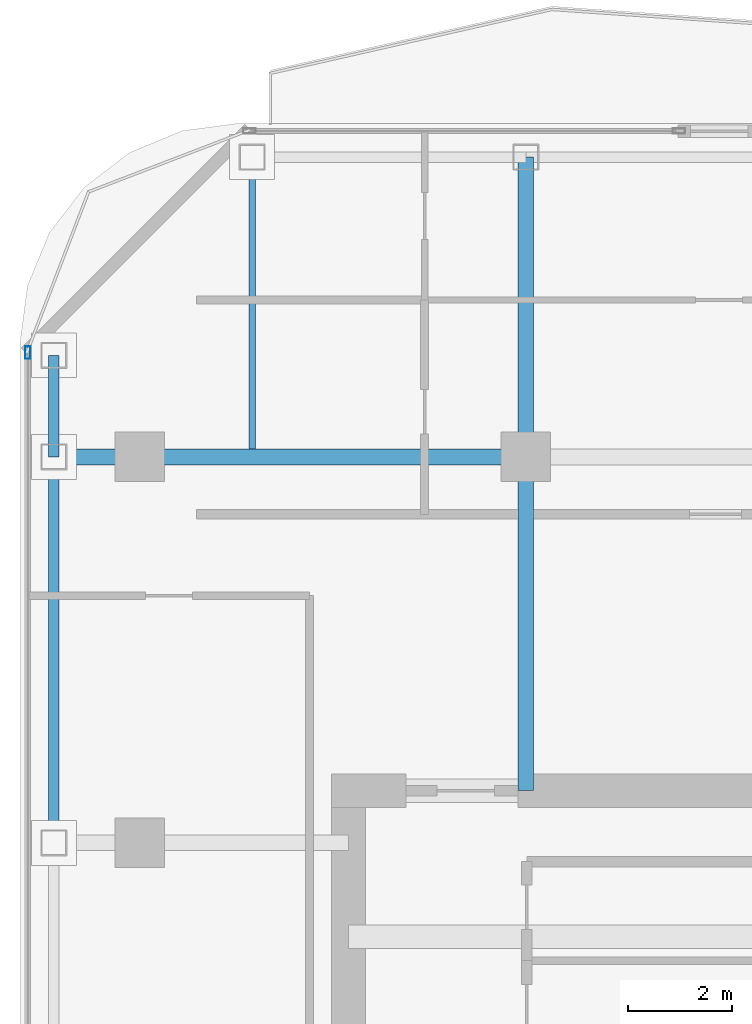
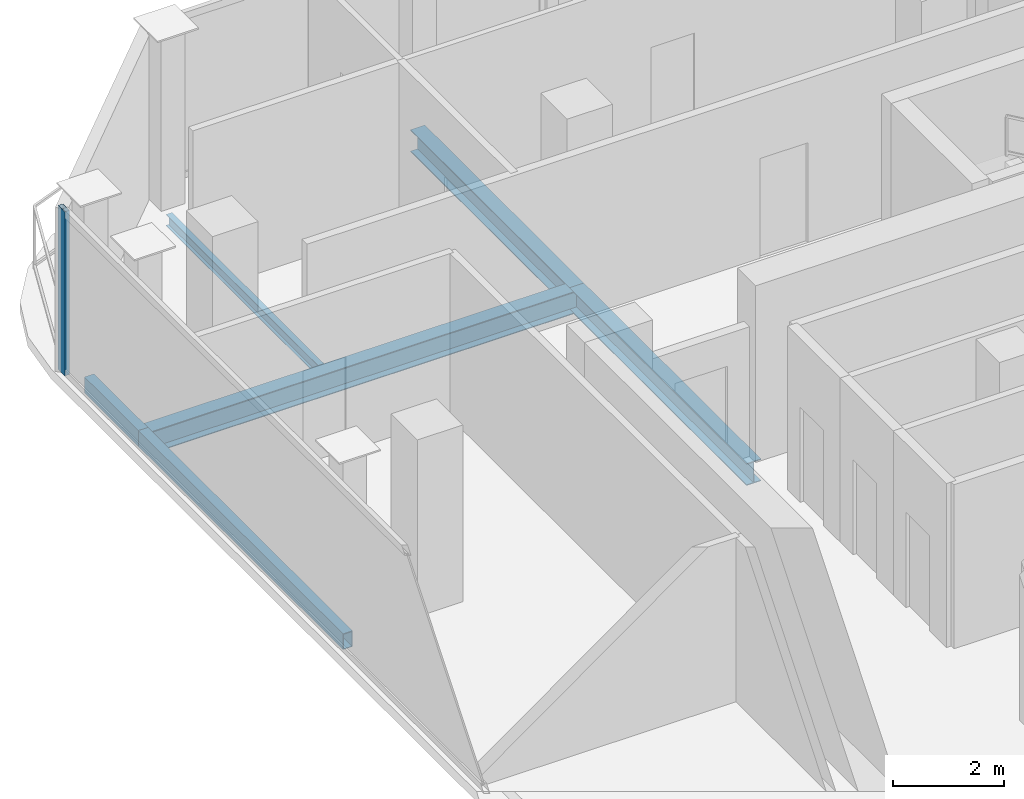
# One storey, part 10 of 22: 6 beams, 1 member, 1 element without a shape of its own.
"""IFC4 building model written with IfcOpenShell, lengths in metres."""

from ifc_helpers import new_model, si_unit, direction, frame, origin, origin_2d, place, context, subcontext, project, spatial, hollow_rectangle, i_section, extrude, material, layer, layer_set, material_profile, profile_set, type_object, element, aggregate, save


model = new_model("IFC4")

# Units and contexts
model_context = context("Model", 3, precision=1e-05, world=origin(), true_north=direction((0.0, 1.0)))
body_context = subcontext(model_context, "Body", "Model", "MODEL_VIEW")
ifc_project = project(units=[si_unit("LENGTHUNIT", "METRE"), si_unit("AREAUNIT", "SQUARE_METRE"), si_unit("VOLUMEUNIT", "CUBIC_METRE"), si_unit("PLANEANGLEUNIT", "RADIAN"), si_unit("MASSUNIT", "GRAM", prefix="KILO")], contexts=[model_context])

# Site, building, storey
site_placement = place(None, origin())
site = spatial("IfcSite", under=ifc_project, at=site_placement, CompositionType="ELEMENT")
building_placement = place(site_placement, origin())
building = spatial("IfcBuilding", under=site, at=building_placement, Name="Khorvyn Point Tower", CompositionType="ELEMENT")
storey_placement = place(building_placement, frame((0.0, 0.0, 282.0)))
storey = spatial("IfcBuildingStorey", under=building, at=storey_placement, Name="L69", CompositionType="ELEMENT", Elevation=282.0)

# Curtain wall, member
ifc_material_1 = material(Name="Anodised aluminium 6063-T6 and laminated Low-E glass", Category="aluminium")
ifc_layer = layer(ifc_material_1, 0.18994140625)
ifc_layer_set = layer_set([ifc_layer], Name="Stick-Built High-Wind Curtain Wall CW-SYS-04")
curtain_wall_type = type_object("IfcCurtainWallType", Name="Stick-Built High-Wind Curtain Wall CW-SYS-04", PredefinedType="NOTDEFINED", material=ifc_layer_set)
curtain_wall_placement = place(storey_placement, origin())
curtain_wall = element("IfcCurtainWall", 1, at=curtain_wall_placement, inside=storey, type_object=curtain_wall_type, Name="Curtain Wall", PredefinedType="NOTDEFINED")
ifc_material_2 = material(Name="Anodised aluminium 6063-T6", Category="aluminium")
ifc_material_profile_1 = material_profile(ifc_material_2, hollow_rectangle(XDim=0.10009765625, YDim=0.239990234375, WallThickness=0.0048828125, at=origin_2d()))
ifc_profile_set_1 = profile_set([ifc_material_profile_1], Name="Anodised aluminium 6063-T6 ALU-MUL-100x240")
member_type = type_object("IfcMemberType", Name="Anodised Aluminium 6063-T6 Mullion ALU-MUL-100x240", PredefinedType="MULLION", material=ifc_profile_set_1)
member_placement = place(storey_placement, frame((-16.949951171875, 16.800048828125, 0.0), z_axis=(0.0, 0.0, 1.0), x_axis=(-1.0, 0.0, 0.0)))
member = element("IfcMember", 2, at=member_placement, type_object=member_type, Name="Transom", PredefinedType="MULLION", context=body_context, shape_type="SweptSolid", body=[
    extrude(hollow_rectangle(XDim=0.10009765625, YDim=0.239990234375, WallThickness=0.0048828125, at=origin_2d()), origin(), (0.0, 0.0, 1.0), 3.6201171875),
])
aggregate(curtain_wall, [member])

# Beams
ifc_material_3 = material(Name="Steel S355", Category="steel")
ifc_material_profile_2 = material_profile(ifc_material_3, i_section(OverallWidth=0.125, OverallDepth=0.25, WebThickness=0.006103515625, FlangeThickness=0.009033203125, at=origin_2d()))
ifc_profile_set_2 = profile_set([ifc_material_profile_2], Name="Steel S355 H250x125x6x9")
beam_type_1 = type_object("IfcBeamType", Name="Steel S355 Joist H250x125x6x9", PredefinedType="JOIST", material=ifc_profile_set_2)
beam_1_placement = place(storey_placement, frame((-12.64990234375, 14.949951171875, -0.344970703125), z_axis=(0.0, 1.0, 0.0), x_axis=(-1.0, 0.0, 0.0)))
element("IfcBeam", 3, at=beam_1_placement, inside=storey, type_object=beam_type_1, Name="Beam", PredefinedType="JOIST", context=body_context, shape_type="SweptSolid", body=[
    extrude(i_section(OverallWidth=0.125, OverallDepth=0.25, WebThickness=0.006103515625, FlangeThickness=0.009033203125, at=origin_2d()), origin(), (0.0, 0.0, 1.0), 5.5),
])
ifc_material_profile_3 = material_profile(ifc_material_3, i_section(OverallWidth=0.300048828125, OverallDepth=0.488037109375, WebThickness=0.010986328125, FlangeThickness=0.01806640625, at=origin_2d()))
ifc_profile_set_3 = profile_set([ifc_material_profile_3], Name="Steel S355 H488x300x11x18")
beam_type_2 = type_object("IfcBeamType", Name="Steel S355 Spandrel H488x300x11x18", PredefinedType="SPANDREL", material=ifc_profile_set_3)
beam_2_placement = place(storey_placement, frame((-16.449951171875, 14.800048828125, -0.464111328125), z_axis=(1.0, 0.0, 0.0), x_axis=(0.0, 1.0, 0.0)))
element("IfcBeam", 4, at=beam_2_placement, inside=storey, type_object=beam_type_2, Name="Beam", PredefinedType="SPANDREL", context=body_context, shape_type="SweptSolid", body=[
    extrude(i_section(OverallWidth=0.300048828125, OverallDepth=0.488037109375, WebThickness=0.010986328125, FlangeThickness=0.01806640625, at=origin_2d()), origin(), (0.0, 0.0, 1.0), 9.050048828125),
])
beam_3_placement = place(storey_placement, frame((-7.39990234375, 8.39990234375, -0.464111328125), z_axis=(0.0, 1.0, 0.0), x_axis=(-1.0, 0.0, 0.0)))
element("IfcBeam", 5, at=beam_3_placement, inside=storey, type_object=beam_type_2, Name="Beam", PredefinedType="SPANDREL", context=body_context, shape_type="SweptSolid", body=[
    extrude(i_section(OverallWidth=0.300048828125, OverallDepth=0.488037109375, WebThickness=0.010986328125, FlangeThickness=0.01806640625, at=origin_2d()), origin(), (0.0, 0.0, 1.0), 6.400146484375),
])
beam_4_placement = place(storey_placement, frame((-7.39990234375, 14.800048828125, -0.464111328125), z_axis=(0.0, 1.0, 0.0), x_axis=(-1.0, 0.0, 0.0)))
element("IfcBeam", 6, at=beam_4_placement, inside=storey, type_object=beam_type_2, Name="Beam", PredefinedType="SPANDREL", context=body_context, shape_type="SweptSolid", body=[
    extrude(i_section(OverallWidth=0.300048828125, OverallDepth=0.488037109375, WebThickness=0.010986328125, FlangeThickness=0.01806640625, at=origin_2d()), origin(), (0.0, 0.0, 1.0), 5.75),
])
ifc_material_profile_4 = material_profile(ifc_material_3, hollow_rectangle(XDim=0.199951171875, YDim=0.35009765625, WallThickness=0.013916015625, at=origin_2d()))
ifc_profile_set_4 = profile_set([ifc_material_profile_4], Name="Steel S355 RHS350x200x14")
beam_type_3 = type_object("IfcBeamType", Name="Steel S355 Spandrel RHS350x200x14", PredefinedType="SPANDREL", material=ifc_profile_set_4)
beam_5_placement = place(storey_placement, frame((-16.449951171875, 7.39990234375, -0.39501953125), z_axis=(0.0, 1.0, 0.0), x_axis=(-1.0, 0.0, 0.0)))
element("IfcBeam", 7, at=beam_5_placement, inside=storey, type_object=beam_type_3, Name="Beam", PredefinedType="SPANDREL", context=body_context, shape_type="SweptSolid", body=[
    extrude(hollow_rectangle(XDim=0.199951171875, YDim=0.35009765625, WallThickness=0.013916015625, at=origin_2d()), origin(), (0.0, 0.0, 1.0), 7.400146484375),
])
beam_6_placement = place(storey_placement, frame((-16.449951171875, 14.800048828125, -0.39501953125), z_axis=(0.0, 1.0, 0.0), x_axis=(-1.0, 0.0, 0.0)))
element("IfcBeam", 8, at=beam_6_placement, inside=storey, type_object=beam_type_3, Name="Beam", PredefinedType="SPANDREL", context=body_context, shape_type="SweptSolid", body=[
    extrude(hollow_rectangle(XDim=0.199951171875, YDim=0.35009765625, WallThickness=0.013916015625, at=origin_2d()), origin(), (0.0, 0.0, 1.0), 1.949951171875),
])

save(model, "model.ifc")
